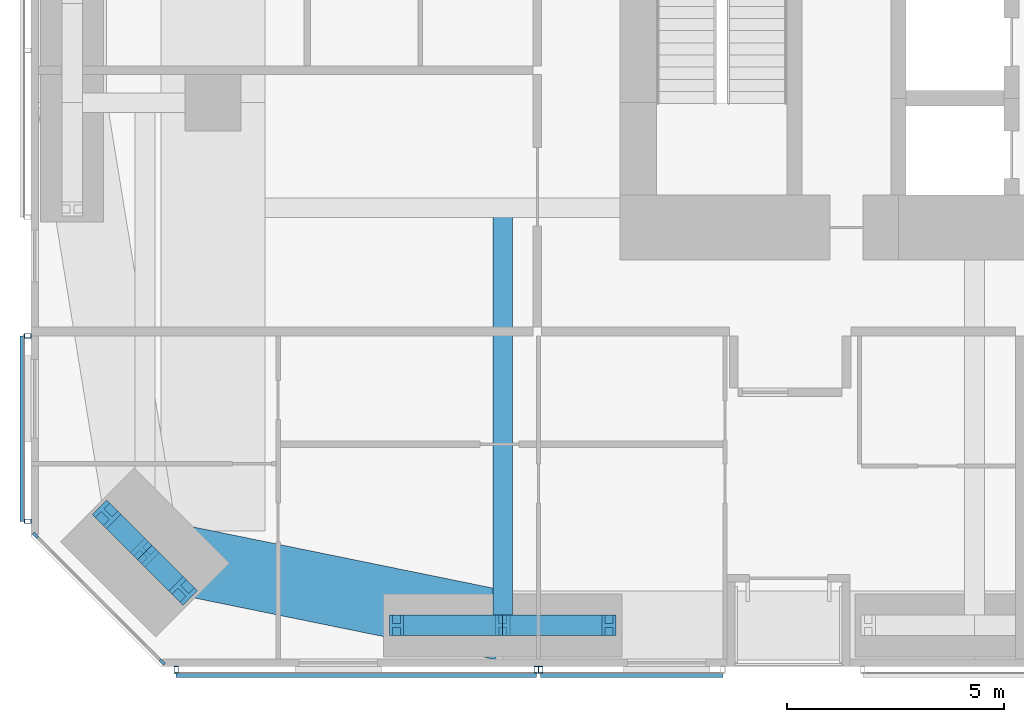
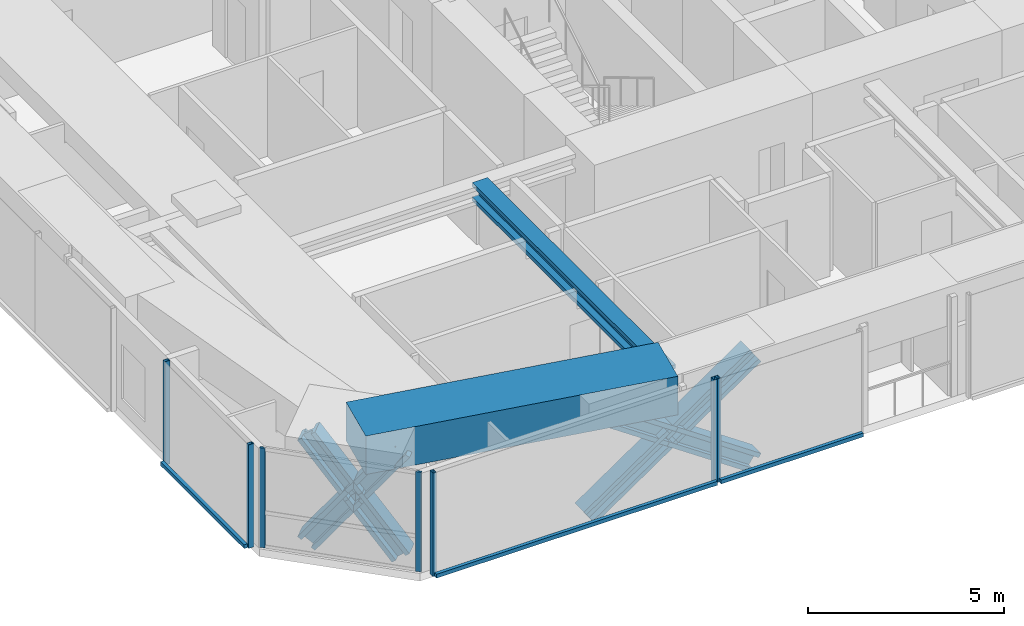
# One storey, part 2 of 25: 18 members, 2 beams, 4 elements without a shape of their own.
"""IFC4 building model written with IfcOpenShell, lengths in metres."""

import ifcopenshell
import ifcopenshell.guid

model = None  # the IFC model being written
_history = None  # IfcOwnerHistory: only IFC2X3 demands one
_inside = {}  # id of a spatial element -> (the spatial element, [elements in it])
_under = {}  # id of a project, library or spatial element -> (it, [spatial elements below it])
_declared = {}  # id of a project -> (the project, [libraries it declares])
_typed = {}  # id of a type object -> (the type object, [elements of that type])
_made_of = {}  # id of a material, layer set ... -> (it, [elements and type objects made of it])


def new_model(schema):
    """Start an empty IFC model of exactly this schema.

    Asked for "IFC4X3", IfcOpenShell would pick the latest addendum, in which some entities
    have other attributes; the version numbers below select the first issue.
    IFC2X3 requires an IfcOwnerHistory on every rooted entity: one is made here for all.
    """
    global model, _history
    if schema == "IFC4X3":
        model = ifcopenshell.file(schema_version=(4, 3, 0, 0))
    else:
        model = ifcopenshell.file(schema=schema)
    _inside.clear()
    _under.clear()
    _declared.clear()
    _typed.clear()
    _made_of.clear()
    _history = None
    if model.schema == "IFC2X3":
        org = make("IfcOrganization", Name="unknown")
        user = make(
            "IfcPersonAndOrganization",
            ThePerson=make("IfcPerson", FamilyName="unknown"),
            TheOrganization=org,
        )
        app = make(
            "IfcApplication",
            ApplicationDeveloper=org,
            Version="unknown",
            ApplicationFullName="unknown",
            ApplicationIdentifier="unknown",
        )
        _history = make(
            "IfcOwnerHistory",
            OwningUser=user,
            OwningApplication=app,
            ChangeAction="ADDED",
            CreationDate=0,
        )
    return model


def make(cls, **values):
    """One entity of the class cls with the attributes given. An attribute that is None is left unset."""
    return model.create_entity(
        cls, **{name: value for name, value in values.items() if value is not None}
    )


def rooted(cls, **values):
    """An entity with a GlobalId (a new one), such as an element, a storey or a relation."""
    return make(cls, GlobalId=ifcopenshell.guid.new(), OwnerHistory=_history, **values)


def si_unit(unit_type, name, prefix=None):
    """IfcSIUnit, for example si_unit("LENGTHUNIT", "METRE", prefix="MILLI")."""
    return make("IfcSIUnit", UnitType=unit_type, Prefix=prefix, Name=name)


def assignment(units):
    """IfcUnitAssignment: the units of a project."""
    return None if units is None else make("IfcUnitAssignment", Units=units)


def point(xyz):
    """IfcCartesianPoint."""
    return None if xyz is None else make("IfcCartesianPoint", Coordinates=xyz)


def direction(xyz):
    """IfcDirection."""
    return None if xyz is None else make("IfcDirection", DirectionRatios=xyz)


def frame(location, z_axis=None, x_axis=None):
    """IfcAxis2Placement3D, a coordinate frame: its origin and axes. An axis left out is left unset."""
    return make(
        "IfcAxis2Placement3D",
        Location=point(location),
        Axis=direction(z_axis),
        RefDirection=direction(x_axis),
    )


def frame_2d(location, x_axis=None):
    """IfcAxis2Placement2D, a coordinate frame in the plane: its origin and x axis."""
    return make(
        "IfcAxis2Placement2D", Location=point(location), RefDirection=direction(x_axis)
    )


def origin():
    """The frame at (0, 0, 0) with its axes left unset."""
    return frame((0.0, 0.0, 0.0))


def origin_2d():
    """The frame at (0, 0) in the plane with its x axis left unset."""
    return frame_2d((0.0, 0.0))


def place(relative_to, where):
    """IfcLocalPlacement: puts the frame where relative to a parent placement (None: the world)."""
    return make(
        "IfcLocalPlacement", PlacementRelTo=relative_to, RelativePlacement=where
    )


def context(
    kind, dimensions, precision=None, world=None, true_north=None, identifier=None
):
    """IfcGeometricRepresentationContext, for example the 3D "Model" context."""
    return make(
        "IfcGeometricRepresentationContext",
        ContextIdentifier=identifier,
        ContextType=kind,
        CoordinateSpaceDimension=dimensions,
        Precision=precision,
        WorldCoordinateSystem=world,
        TrueNorth=true_north,
    )


def subcontext(parent, identifier, kind, view, scale=None):
    """IfcGeometricRepresentationSubContext, for example "Body" below "Model"."""
    return make(
        "IfcGeometricRepresentationSubContext",
        ContextIdentifier=identifier,
        ContextType=kind,
        ParentContext=parent,
        TargetScale=scale,
        TargetView=view,
    )


def project(units=None, contexts=None):
    """IfcProject with its units and contexts."""
    return rooted(
        "IfcProject",
        Name="project",
        RepresentationContexts=contexts,
        UnitsInContext=assignment(units),
    )


def spatial(cls, under=None, at=None, **own):
    """A site, building, storey or space (cls), placed at a placement, below another one or the project."""
    s = rooted(cls, ObjectPlacement=at, **own)
    if under is not None:
        _under.setdefault(under.id(), (under, []))[1].append(s)
    return s


def profile(cls, at=None, kind="AREA", **sizes):
    """A parametric profile (cls). Its sizes go by their IFC names, for example OverallWidth=200.0."""
    return make(cls, ProfileType=kind, Position=at, **sizes)


def rectangle(**sizes):
    """IfcRectangleProfileDef."""
    return profile("IfcRectangleProfileDef", **sizes)


def hollow_rectangle(**sizes):
    """IfcRectangleHollowProfileDef."""
    return profile("IfcRectangleHollowProfileDef", **sizes)


def i_section(**sizes):
    """IfcIShapeProfileDef."""
    return profile("IfcIShapeProfileDef", **sizes)


def extrude(swept, where, along, depth):
    """IfcExtrudedAreaSolid: the profile swept, set in the frame where, extruded along a direction by depth."""
    return make(
        "IfcExtrudedAreaSolid",
        SweptArea=swept,
        Position=where,
        ExtrudedDirection=direction(along),
        Depth=depth,
    )


def shape(context_of_items, identifier, shape_type, items):
    """IfcShapeRepresentation: the items that make up one representation, for example the "Body"."""
    return make(
        "IfcShapeRepresentation",
        ContextOfItems=context_of_items,
        RepresentationIdentifier=identifier,
        RepresentationType=shape_type,
        Items=items,
    )


def material(Name=None, Category=None):
    """IfcMaterial."""
    return make("IfcMaterial", Name=Name, Category=Category)


def material_profile(
    of_material, cross_section, Name=None, Category=None, Priority=None
):
    """IfcMaterialProfile: a cross section and its material."""
    return make(
        "IfcMaterialProfile",
        Name=Name,
        Material=of_material,
        Profile=cross_section,
        Priority=Priority,
        Category=Category,
    )


def profile_set(profiles, Name=None, composite=None):
    """IfcMaterialProfileSet."""
    return make(
        "IfcMaterialProfileSet",
        Name=Name,
        MaterialProfiles=profiles,
        CompositeProfile=composite,
    )


def made_of(thing, what):
    """Note that an element or type object is made of a material, layer set ...; save() writes the relation."""
    if what is not None:
        _made_of.setdefault(what.id(), (what, []))[1].append(thing)
    return thing


def type_object(cls, material=None, **own):
    """A type object (cls), such as IfcWallType, which elements share."""
    return made_of(rooted(cls, **own), material)


def element(
    cls,
    number,
    at=None,
    inside=None,
    cuts=None,
    type_object=None,
    material=None,
    context=None,
    identifier="Body",
    shape_type=None,
    held_by="IfcProductDefinitionShape",
    body=None,
    shapes=None,
    **own,
):
    """One element of the class cls, such as IfcWall. Its Tag is "e" and its number.

    at: its placement. inside: the storey or other place that contains it. cuts: it is an
    opening in that element (IfcRelVoidsElement). A single representation is given by context,
    identifier, shape_type and body (its items); several are given by shapes. held_by: the class
    of the entity that holds the representations. save() writes the other relations.
    """
    e = rooted(cls, Tag="e%d" % number, ObjectPlacement=at, **own)
    if body is not None:
        shapes = [shape(context, identifier, shape_type, body)]
    if shapes is not None:
        e.Representation = make(held_by, Representations=shapes)
    if inside is not None:
        _inside.setdefault(inside.id(), (inside, []))[1].append(e)
    if cuts is not None:
        rooted(
            "IfcRelVoidsElement", RelatingBuildingElement=cuts, RelatedOpeningElement=e
        )
    if type_object is not None:
        _typed.setdefault(type_object.id(), (type_object, []))[1].append(e)
    return made_of(e, material)


def aggregate(whole, parts):
    """IfcRelAggregates: a whole, such as a stair, and the parts it consists of."""
    return rooted("IfcRelAggregates", RelatingObject=whole, RelatedObjects=parts)


def save(model, path):
    """Write the relations noted so far, then the file.

    IfcRelAggregates (storeys below a building ...), IfcRelContainedInSpatialStructure (elements
    in a storey), IfcRelDefinesByType, IfcRelAssociatesMaterial and IfcRelDeclares: one each for
    every whole, place, type object, material and project.
    """
    for whole, parts in _under.values():
        aggregate(whole, parts)
    for where, things in _inside.values():
        rooted(
            "IfcRelContainedInSpatialStructure",
            RelatedElements=things,
            RelatingStructure=where,
        )
    for kind, things in _typed.values():
        rooted("IfcRelDefinesByType", RelatedObjects=things, RelatingType=kind)
    for what, things in _made_of.values():
        rooted("IfcRelAssociatesMaterial", RelatedObjects=things, RelatingMaterial=what)
    for by, libraries in _declared.values():
        rooted("IfcRelDeclares", RelatingContext=by, RelatedDefinitions=libraries)
    model.write(path)


model = new_model("IFC4")

# Units and contexts
model_context = context("Model", 3, precision=1e-05, world=origin(), true_north=direction((0.0, 1.0)))
body_context = subcontext(model_context, "Body", "Model", "MODEL_VIEW")
ifc_project = project(units=[si_unit("LENGTHUNIT", "METRE"), si_unit("AREAUNIT", "SQUARE_METRE"), si_unit("VOLUMEUNIT", "CUBIC_METRE"), si_unit("PLANEANGLEUNIT", "RADIAN"), si_unit("MASSUNIT", "GRAM", prefix="KILO")], contexts=[model_context])

# Site, building, storey
site_placement = place(None, origin())
site = spatial("IfcSite", under=ifc_project, at=site_placement, CompositionType="ELEMENT")
building_placement = place(site_placement, origin())
building = spatial("IfcBuilding", under=site, at=building_placement, Name="Jalousie Tower", CompositionType="ELEMENT")
storey_placement = place(building_placement, frame((0.0, 0.0, 101.5)))
storey = spatial("IfcBuildingStorey", under=building, at=storey_placement, Name="L27", CompositionType="ELEMENT", Elevation=101.5)

# Curtain wall, members
ifc_material_1 = material(Name="Aluminium curtain wall", Category="aluminium")
curtain_wall_type_1 = type_object("IfcCurtainWallType", Name="CORNER WINDOW WALL", PredefinedType="USERDEFINED", material=ifc_material_1)
curtain_wall_1_placement = place(storey_placement, origin())
curtain_wall_1 = element("IfcCurtainWall", 1, at=curtain_wall_1_placement, inside=storey, type_object=curtain_wall_type_1, Name="Corner Window Wall L27 8", ObjectType="CORNER WINDOW WALL", PredefinedType="USERDEFINED")
ifc_material_2 = material(Name="Aluminium mullion", Category="aluminium")
ifc_material_profile_1 = material_profile(ifc_material_2, rectangle(XDim=0.06005859375, YDim=0.14990234375, at=origin_2d()), Name="MULLION 60x150")
ifc_profile_set_1 = profile_set([ifc_material_profile_1], Name="Aluminium mullion")
member_type_1 = type_object("IfcMemberType", Name="CORNER WINDOW WALL MULLION", PredefinedType="MULLION", material=ifc_profile_set_1)
member_1_placement = place(storey_placement, frame((6.108642578125, 3.030029296875, 0.0), z_axis=(0.0, 0.0, 1.0), x_axis=(0.707106781187, 0.707106781187, 0.0)))
member_1 = element("IfcMember", 2, at=member_1_placement, type_object=member_type_1, Name="CW-C mullion 1", PredefinedType="MULLION", context=body_context, shape_type="SweptSolid", body=[
    extrude(rectangle(XDim=0.06005859375, YDim=0.14990234375, at=origin_2d()), origin(), (0.0, 0.0, 1.0), 3.110107421875),
])
member_2_placement = place(storey_placement, frame((9.030029296875, 0.108642578125, 0.0), z_axis=(0.0, 0.0, 1.0), x_axis=(0.707106781187, 0.707106781187, 0.0)))
member_2 = element("IfcMember", 3, at=member_2_placement, type_object=member_type_1, Name="CW-C mullion 2", PredefinedType="MULLION", context=body_context, shape_type="SweptSolid", body=[
    extrude(rectangle(XDim=0.06005859375, YDim=0.14990234375, at=origin_2d()), origin(), (0.0, 0.0, 1.0), 3.110107421875),
])
aggregate(curtain_wall_1, [member_1, member_2])

# Beam
ifc_material_3 = material(Name="Steel ASTM A992 Grade 50", Category="steel")
ifc_material_profile_2 = material_profile(ifc_material_3, i_section(OverallWidth=0.45458984375, OverallDepth=0.569091796875, WebThickness=0.077880859375, FlangeThickness=0.124755859375, at=origin_2d()), Name="W14X730")
ifc_profile_set_2 = profile_set([ifc_material_profile_2], Name="Steel ASTM A992 Grade 50")
beam_type_1 = type_object("IfcBeamType", Name="LEAN COLLECTOR W14X730", PredefinedType="BEAM", material=ifc_profile_set_2)
beam_1_placement = place(storey_placement, frame((16.875, 0.949951171875, 2.825439453125), z_axis=(0.0, 1.0, 0.0), x_axis=(-1.0, 0.0, 0.0)))
element("IfcBeam", 4, at=beam_1_placement, inside=storey, type_object=beam_type_1, Name="Lean collector under L28", PredefinedType="BEAM", context=body_context, shape_type="SweptSolid", body=[
    extrude(i_section(OverallWidth=0.45458984375, OverallDepth=0.569091796875, WebThickness=0.077880859375, FlangeThickness=0.124755859375, at=origin_2d()), origin(), (0.0, 0.0, 1.0), 9.625),
])

# Members
ifc_material_4 = material(Name="Steel ASTM A992 Grade 50", Category="steel")
ifc_material_profile_3 = material_profile(ifc_material_4, i_section(OverallWidth=0.472412109375, OverallDepth=0.5791015625, WebThickness=0.094970703125, FlangeThickness=0.1298828125, at=origin_2d()), Name="W14X808")
ifc_profile_set_3 = profile_set([ifc_material_profile_3], Name="Steel ASTM A992 Grade 50")
member_type_2 = type_object("IfcMemberType", Name="PERIMETER BRACE W14X808", PredefinedType="BRACE", material=ifc_profile_set_3)
for number, where, z_axis, x_axis, name in (
    (5, (7.74755859375, 3.515380859375, -0.60009765625), (0.422851718556, -0.422968528423, 0.801432497518), (0.707204427637, 0.70700912125, 0.0), "Perimeter brace 01 L27 part 1"),
    (6, (8.63134765625, 2.63134765625, 1.074951171875), (0.422968528423, -0.422851718556, 0.801432497518), (0.70700912125, 0.707204427637, 0.0), "Perimeter brace 01 L27 part 2"),
    (7, (9.515380859375, 1.74755859375, -0.60009765625), (-0.422968528423, 0.422851718556, 0.801432497518), (-0.70700912125, -0.707204427637, 0.0), "Perimeter brace 01 L27 part 3"),
    (8, (8.63134765625, 2.63134765625, 1.074951171875), (-0.422851718556, 0.422968528423, 0.801432497518), (-0.707204427637, -0.70700912125, 0.0), "Perimeter brace 01 L27 part 4"),
):
    element("IfcMember", number, at=place(storey_placement, frame(where, z_axis=z_axis, x_axis=x_axis)), inside=storey, type_object=member_type_2, Name=name, PredefinedType="BRACE", context=body_context, shape_type="SweptSolid", body=[
        extrude(i_section(OverallWidth=0.472412109375, OverallDepth=0.5791015625, WebThickness=0.094970703125, FlangeThickness=0.1298828125, at=origin_2d()), origin(), (0.0, 0.0, 1.0), 2.090087890625),
    ])
for number, where, z_axis, x_axis, name in (
    (9, (14.425048828125, 0.949951171875, -0.60009765625), (0.825500916831, 0.0, 0.564400776321), (0.0, 1.0, 0.0), "Perimeter brace 02 L27 part 1"),
    (10, (16.875, 0.949951171875, 1.074951171875), (0.825500916831, 0.0, 0.564400776321), (0.0, 1.0, 0.0), "Perimeter brace 02 L27 part 2"),
    (11, (19.324951171875, 0.949951171875, -0.60009765625), (-0.825500916831, 0.0, 0.564400776321), (0.0, -1.0, 0.0), "Perimeter brace 02 L27 part 3"),
    (12, (16.875, 0.949951171875, 1.074951171875), (-0.825500916831, 0.0, 0.564400776321), (0.0, -1.0, 0.0), "Perimeter brace 02 L27 part 4"),
):
    element("IfcMember", number, at=place(storey_placement, frame(where, z_axis=z_axis, x_axis=x_axis)), inside=storey, type_object=member_type_2, Name=name, PredefinedType="BRACE", context=body_context, shape_type="SweptSolid", body=[
        extrude(i_section(OverallWidth=0.472412109375, OverallDepth=0.5791015625, WebThickness=0.094970703125, FlangeThickness=0.1298828125, at=origin_2d()), origin(), (0.0, 0.0, 1.0), 2.9677734375),
    ])

# Beam
ifc_material_5 = material(Name="Concrete f'c 40 MPa", Category="concrete")
ifc_material_profile_4 = material_profile(ifc_material_5, rectangle(XDim=1.60009765625, YDim=1.199951171875, at=origin_2d()), Name="RC 1600x1200")
ifc_profile_set_4 = profile_set([ifc_material_profile_4], Name="Concrete f'c 40 MPa")
beam_type_2 = type_object("IfcBeamType", Name="RC BEAM 1600x1200", PredefinedType="BEAM", material=ifc_profile_set_4)
beam_2_placement = place(storey_placement, frame((8.63134765625, 2.63134765625, 2.75), z_axis=(0.97982690954, -0.199848010602, 0.0), x_axis=(0.199848010602, 0.97982690954, 0.0)))
element("IfcBeam", 13, at=beam_2_placement, inside=storey, type_object=beam_type_2, Name="Edge band beam 01-02 under L28", PredefinedType="BEAM", context=body_context, shape_type="SweptSolid", body=[
    extrude(rectangle(XDim=1.60009765625, YDim=1.199951171875, at=origin_2d()), origin(), (0.0, 0.0, 1.0), 8.413330078125),
])

# Curtain wall, members
ifc_material_6 = material(Name="Perforated aluminium sheet", Category="aluminium")
curtain_wall_type_2 = type_object("IfcCurtainWallType", Name="SOLAR SCREEN SS-1", PredefinedType="USERDEFINED", material=ifc_material_6)
curtain_wall_2_placement = place(storey_placement, origin())
curtain_wall_2 = element("IfcCurtainWall", 14, at=curtain_wall_2_placement, inside=storey, type_object=curtain_wall_type_2, Name="Solar screen L27", ObjectType="SOLAR SCREEN SS-1", PredefinedType="USERDEFINED")
ifc_material_7 = material(Name="Steel ASTM A500 Grade C", Category="steel")
ifc_material_profile_5 = material_profile(ifc_material_7, hollow_rectangle(XDim=0.1015625, YDim=0.15234375, WallThickness=0.00634765625, at=origin_2d()), Name="HSS6X4X1/4")
ifc_profile_set_5 = profile_set([ifc_material_profile_5], Name="Steel ASTM A500 Grade C")
member_type_3 = type_object("IfcMemberType", Name="SOLAR SCREEN SS-1 MULLION", PredefinedType="MULLION", material=ifc_profile_set_5)
member_3_placement = place(storey_placement, frame((9.351318359375, -0.0712890625, -0.1201171875), z_axis=(0.0, 0.0, 1.0), x_axis=(1.0, 0.0, 0.0)))
member_3 = element("IfcMember", 15, at=member_3_placement, type_object=member_type_3, Name="SS1 post 1", PredefinedType="MULLION", context=body_context, shape_type="SweptSolid", body=[
    extrude(hollow_rectangle(XDim=0.1015625, YDim=0.15234375, WallThickness=0.00634765625, at=origin_2d()), origin(), (0.0, 0.0, 1.0), 3.230224609375),
])
member_4_placement = place(storey_placement, frame((17.64990234375, -0.0712890625, -0.1201171875), z_axis=(0.0, 0.0, 1.0), x_axis=(1.0, 0.0, 0.0)))
member_4 = element("IfcMember", 16, at=member_4_placement, type_object=member_type_3, Name="SS1 post 2", PredefinedType="MULLION", context=body_context, shape_type="SweptSolid", body=[
    extrude(hollow_rectangle(XDim=0.1015625, YDim=0.15234375, WallThickness=0.00634765625, at=origin_2d()), origin(), (0.0, 0.0, 1.0), 3.230224609375),
])

# Curtain wall, member
curtain_wall_3_placement = place(storey_placement, origin())
curtain_wall_3 = element("IfcCurtainWall", 17, at=curtain_wall_3_placement, inside=storey, type_object=curtain_wall_type_2, Name="Solar screen L27", ObjectType="SOLAR SCREEN SS-1", PredefinedType="USERDEFINED")
member_5_placement = place(storey_placement, frame((17.75, -0.0712890625, -0.1201171875), z_axis=(0.0, 0.0, 1.0), x_axis=(1.0, 0.0, 0.0)))
member_5 = element("IfcMember", 18, at=member_5_placement, type_object=member_type_3, Name="SS1 post 1", PredefinedType="MULLION", context=body_context, shape_type="SweptSolid", body=[
    extrude(hollow_rectangle(XDim=0.1015625, YDim=0.15234375, WallThickness=0.00634765625, at=origin_2d()), origin(), (0.0, 0.0, 1.0), 3.230224609375),
])

# Curtain wall, members
curtain_wall_4_placement = place(storey_placement, origin())
curtain_wall_4 = element("IfcCurtainWall", 19, at=curtain_wall_4_placement, inside=storey, type_object=curtain_wall_type_2, Name="Solar screen L27", ObjectType="SOLAR SCREEN SS-1", PredefinedType="USERDEFINED")
member_6_placement = place(storey_placement, frame((5.9287109375, 7.625, -0.1201171875), z_axis=(0.0, 0.0, 1.0), x_axis=(0.0, -1.0, 0.0)))
member_6 = element("IfcMember", 20, at=member_6_placement, type_object=member_type_3, Name="SS1 post 1", PredefinedType="MULLION", context=body_context, shape_type="SweptSolid", body=[
    extrude(hollow_rectangle(XDim=0.1015625, YDim=0.15234375, WallThickness=0.00634765625, at=origin_2d()), origin(), (0.0, 0.0, 1.0), 3.230224609375),
])
member_7_placement = place(storey_placement, frame((5.9287109375, 3.351318359375, -0.1201171875), z_axis=(0.0, 0.0, 1.0), x_axis=(0.0, -1.0, 0.0)))
member_7 = element("IfcMember", 21, at=member_7_placement, type_object=member_type_3, Name="SS1 post 2", PredefinedType="MULLION", context=body_context, shape_type="SweptSolid", body=[
    extrude(hollow_rectangle(XDim=0.1015625, YDim=0.15234375, WallThickness=0.00634765625, at=origin_2d()), origin(), (0.0, 0.0, 1.0), 3.230224609375),
])

# Member
ifc_material_8 = material(Name="Extruded aluminium screen rail", Category="aluminium")
ifc_material_profile_6 = material_profile(ifc_material_8, rectangle(XDim=0.1015625, YDim=0.1201171875, at=origin_2d()), Name="RAIL 102x120")
ifc_profile_set_6 = profile_set([ifc_material_profile_6], Name="Extruded aluminium screen rail")
member_type_4 = type_object("IfcMemberType", Name="SOLAR SCREEN SS-1 TRANSOM", PredefinedType="USERDEFINED", material=ifc_profile_set_6)
member_8_placement = place(storey_placement, frame((9.351318359375, -0.1982421875, -0.06005859375), z_axis=(1.0, 0.0, 0.0), x_axis=(0.0, 1.0, 0.0)))
member_8 = element("IfcMember", 22, at=member_8_placement, type_object=member_type_4, Name="SS1 rail", ObjectType="TRANSOM", PredefinedType="USERDEFINED", context=body_context, shape_type="SweptSolid", body=[
    extrude(rectangle(XDim=0.1015625, YDim=0.1201171875, at=origin_2d()), origin(), (0.0, 0.0, 1.0), 8.298583984375),
])

aggregate(curtain_wall_2, [member_3, member_4, member_8])

member_9_placement = place(storey_placement, frame((17.75, -0.1982421875, -0.06005859375), z_axis=(1.0, 0.0, 0.0), x_axis=(0.0, 1.0, 0.0)))
member_9 = element("IfcMember", 23, at=member_9_placement, type_object=member_type_4, Name="SS1 rail", ObjectType="TRANSOM", PredefinedType="USERDEFINED", context=body_context, shape_type="SweptSolid", body=[
    extrude(rectangle(XDim=0.1015625, YDim=0.1201171875, at=origin_2d()), origin(), (0.0, 0.0, 1.0), 4.199951171875),
])

aggregate(curtain_wall_3, [member_5, member_9])

member_10_placement = place(storey_placement, frame((5.8017578125, 7.625, -0.06005859375), z_axis=(0.0, -1.0, 0.0), x_axis=(1.0, 0.0, 0.0)))
member_10 = element("IfcMember", 24, at=member_10_placement, type_object=member_type_4, Name="SS1 rail", ObjectType="TRANSOM", PredefinedType="USERDEFINED", context=body_context, shape_type="SweptSolid", body=[
    extrude(rectangle(XDim=0.1015625, YDim=0.1201171875, at=origin_2d()), origin(), (0.0, 0.0, 1.0), 4.273681640625),
])

aggregate(curtain_wall_4, [member_6, member_7, member_10])

save(model, "model.ifc")
